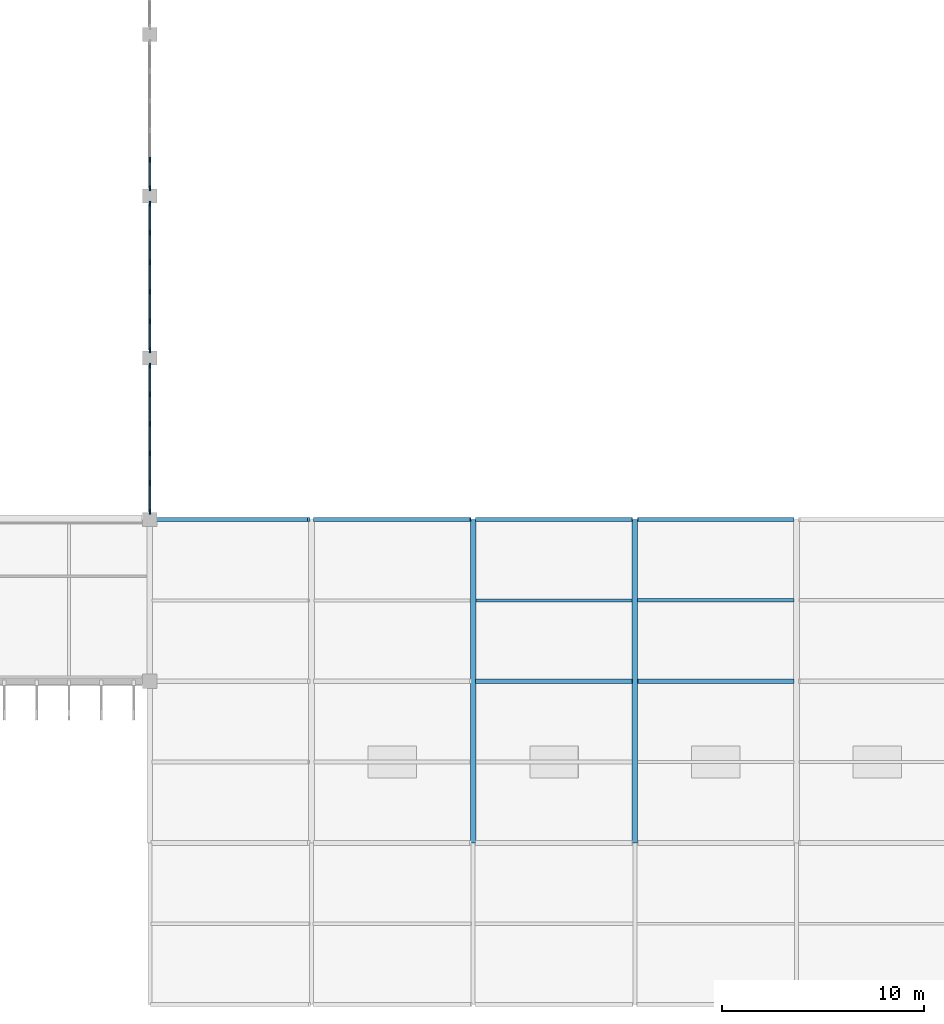
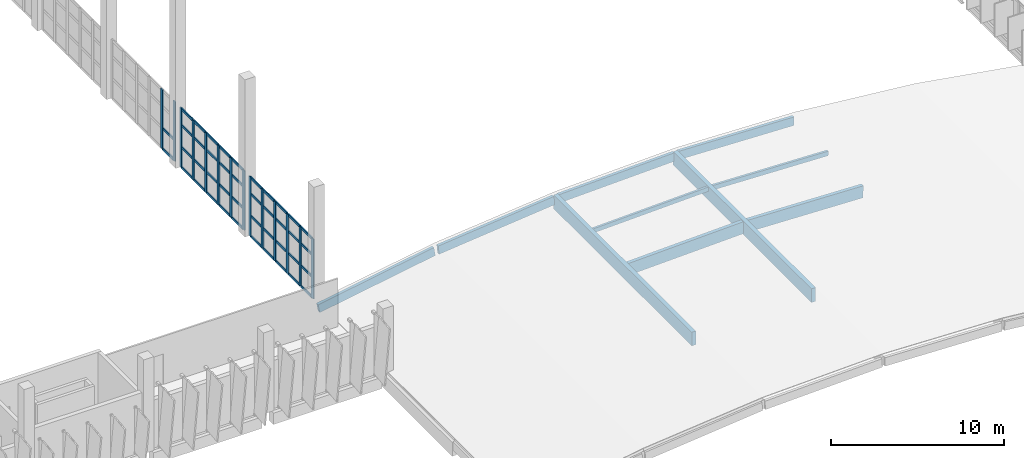
# One storey, part 13 of 66: 58 members, 8 beams, 3 elements without a shape of their own.
"""IFC4 building model written with IfcOpenShell, lengths in metres."""

from ifc_helpers import new_model, si_unit, direction, frame, origin, origin_2d, place, context, subcontext, project, spatial, rectangle, hollow_rectangle, extrude, material, layer, layer_set, material_profile, profile_set, type_object, element, aggregate, save


model = new_model("IFC4")

# Units and contexts
model_context = context("Model", 3, precision=1e-05, world=origin(), true_north=direction((0.0, 1.0)))
body_context = subcontext(model_context, "Body", "Model", "MODEL_VIEW")
ifc_project = project(units=[si_unit("LENGTHUNIT", "METRE"), si_unit("AREAUNIT", "SQUARE_METRE"), si_unit("VOLUMEUNIT", "CUBIC_METRE"), si_unit("PLANEANGLEUNIT", "RADIAN"), si_unit("MASSUNIT", "GRAM", prefix="KILO")], contexts=[model_context])

# Site, building, storey
site_placement = place(None, origin())
site = spatial("IfcSite", under=ifc_project, at=site_placement, CompositionType="ELEMENT")
building_placement = place(site_placement, origin())
building = spatial("IfcBuilding", under=site, at=building_placement, Name="Drelvana Railside Aquatics Centre", CompositionType="ELEMENT")
storey_placement = place(building_placement, frame((0.0, 0.0, 10.199951171875)))
storey = spatial("IfcBuildingStorey", under=building, at=storey_placement, Name="L02", CompositionType="ELEMENT", Elevation=10.199951171875)

# Curtain wall, members
ifc_material_1 = material(Name="Bronze-anodised aluminium curtain wall", Category="aluminium")
ifc_layer = layer(ifc_material_1, 0.219970703125, Name="Bronze-anodised aluminium curtain wall")
ifc_layer_set = layer_set([ifc_layer], Name="Bronze-anodised aluminium curtain wall")
curtain_wall_type = type_object("IfcCurtainWallType", Name="CW-Z3-HIGH", PredefinedType="NOTDEFINED", material=ifc_layer_set)
curtain_wall_1_placement = place(storey_placement, origin())
curtain_wall_1 = element("IfcCurtainWall", 1, at=curtain_wall_1_placement, inside=storey, type_object=curtain_wall_type, Name="Curtain wall CW-03-057", PredefinedType="NOTDEFINED")
ifc_material_2 = material(Name="Bronze-anodised aluminium 6063-T6", Category="aluminium")
ifc_material_profile_1 = material_profile(ifc_material_2, rectangle(XDim=0.080078125, YDim=0.25, at=origin_2d()), Name="ALU-M 80x250")
ifc_profile_set_1 = profile_set([ifc_material_profile_1], Name="Bronze-anodised aluminium 6063-T6")
member_type_1 = type_object("IfcMemberType", Name="CW-Z3-HIGH-MUL", PredefinedType="MULLION", material=ifc_profile_set_1)
member_1_placement = place(storey_placement, frame((96.0, 24.384033203125, -0.005859375), z_axis=(0.0, 0.0, 1.0), x_axis=(-1.0, 0.0, 0.0)))
member_1 = element("IfcMember", 2, at=member_1_placement, type_object=member_type_1, Name="CW-03 mullion 1", PredefinedType="MULLION", context=body_context, shape_type="SweptSolid", body=[
    extrude(rectangle(XDim=0.080078125, YDim=0.25, at=origin_2d()), origin(), (0.0, 0.0, 1.0), 4.19580078125),
])
member_2_placement = place(storey_placement, frame((96.0, 25.806396484375, -0.005859375), z_axis=(0.0, 0.0, 1.0), x_axis=(-1.0, 0.0, 0.0)))
member_2 = element("IfcMember", 3, at=member_2_placement, type_object=member_type_1, Name="CW-03 mullion 2", PredefinedType="MULLION", context=body_context, shape_type="SweptSolid", body=[
    extrude(rectangle(XDim=0.080078125, YDim=0.25, at=origin_2d()), origin(), (0.0, 0.0, 1.0), 4.19580078125),
])
member_3_placement = place(storey_placement, frame((96.0, 27.268798828125, -0.005859375), z_axis=(0.0, 0.0, 1.0), x_axis=(-1.0, 0.0, 0.0)))
member_3 = element("IfcMember", 4, at=member_3_placement, type_object=member_type_1, Name="CW-03 mullion 3", PredefinedType="MULLION", context=body_context, shape_type="SweptSolid", body=[
    extrude(rectangle(XDim=0.080078125, YDim=0.25, at=origin_2d()), origin(), (0.0, 0.0, 1.0), 4.19580078125),
])
member_4_placement = place(storey_placement, frame((96.0, 28.731201171875, -0.005859375), z_axis=(0.0, 0.0, 1.0), x_axis=(-1.0, 0.0, 0.0)))
member_4 = element("IfcMember", 5, at=member_4_placement, type_object=member_type_1, Name="CW-03 mullion 4", PredefinedType="MULLION", context=body_context, shape_type="SweptSolid", body=[
    extrude(rectangle(XDim=0.080078125, YDim=0.25, at=origin_2d()), origin(), (0.0, 0.0, 1.0), 4.19580078125),
])
member_5_placement = place(storey_placement, frame((96.0, 30.193603515625, -0.005859375), z_axis=(0.0, 0.0, 1.0), x_axis=(-1.0, 0.0, 0.0)))
member_5 = element("IfcMember", 6, at=member_5_placement, type_object=member_type_1, Name="CW-03 mullion 5", PredefinedType="MULLION", context=body_context, shape_type="SweptSolid", body=[
    extrude(rectangle(XDim=0.080078125, YDim=0.25, at=origin_2d()), origin(), (0.0, 0.0, 1.0), 4.19580078125),
])
member_6_placement = place(storey_placement, frame((96.0, 31.615966796875, -0.005859375), z_axis=(0.0, 0.0, 1.0), x_axis=(-1.0, 0.0, 0.0)))
member_6 = element("IfcMember", 7, at=member_6_placement, type_object=member_type_1, Name="CW-03 mullion 6", PredefinedType="MULLION", context=body_context, shape_type="SweptSolid", body=[
    extrude(rectangle(XDim=0.080078125, YDim=0.25, at=origin_2d()), origin(), (0.0, 0.0, 1.0), 4.19580078125),
])

curtain_wall_2_placement = place(storey_placement, origin())
curtain_wall_2 = element("IfcCurtainWall", 8, at=curtain_wall_2_placement, inside=storey, type_object=curtain_wall_type, Name="Curtain wall CW-03-061", PredefinedType="NOTDEFINED")
member_7_placement = place(storey_placement, frame((96.0, 32.384033203125, -0.005859375), z_axis=(0.0, 0.0, 1.0), x_axis=(-1.0, 0.0, 0.0)))
member_7 = element("IfcMember", 9, at=member_7_placement, type_object=member_type_1, Name="CW-03 mullion 1", PredefinedType="MULLION", context=body_context, shape_type="SweptSolid", body=[
    extrude(rectangle(XDim=0.080078125, YDim=0.25, at=origin_2d()), origin(), (0.0, 0.0, 1.0), 4.19580078125),
])
member_8_placement = place(storey_placement, frame((96.0, 33.806396484375, -0.005859375), z_axis=(0.0, 0.0, 1.0), x_axis=(-1.0, 0.0, 0.0)))
member_8 = element("IfcMember", 10, at=member_8_placement, type_object=member_type_1, Name="CW-03 mullion 2", PredefinedType="MULLION", context=body_context, shape_type="SweptSolid", body=[
    extrude(rectangle(XDim=0.080078125, YDim=0.25, at=origin_2d()), origin(), (0.0, 0.0, 1.0), 4.19580078125),
])
member_9_placement = place(storey_placement, frame((96.0, 35.268798828125, -0.005859375), z_axis=(0.0, 0.0, 1.0), x_axis=(-1.0, 0.0, 0.0)))
member_9 = element("IfcMember", 11, at=member_9_placement, type_object=member_type_1, Name="CW-03 mullion 3", PredefinedType="MULLION", context=body_context, shape_type="SweptSolid", body=[
    extrude(rectangle(XDim=0.080078125, YDim=0.25, at=origin_2d()), origin(), (0.0, 0.0, 1.0), 4.19580078125),
])
member_10_placement = place(storey_placement, frame((96.0, 36.731201171875, -0.005859375), z_axis=(0.0, 0.0, 1.0), x_axis=(-1.0, 0.0, 0.0)))
member_10 = element("IfcMember", 12, at=member_10_placement, type_object=member_type_1, Name="CW-03 mullion 4", PredefinedType="MULLION", context=body_context, shape_type="SweptSolid", body=[
    extrude(rectangle(XDim=0.080078125, YDim=0.25, at=origin_2d()), origin(), (0.0, 0.0, 1.0), 4.19580078125),
])
member_11_placement = place(storey_placement, frame((96.0, 38.193603515625, -0.005859375), z_axis=(0.0, 0.0, 1.0), x_axis=(-1.0, 0.0, 0.0)))
member_11 = element("IfcMember", 13, at=member_11_placement, type_object=member_type_1, Name="CW-03 mullion 5", PredefinedType="MULLION", context=body_context, shape_type="SweptSolid", body=[
    extrude(rectangle(XDim=0.080078125, YDim=0.25, at=origin_2d()), origin(), (0.0, 0.0, 1.0), 4.19580078125),
])
member_12_placement = place(storey_placement, frame((96.0, 39.615966796875, -0.005859375), z_axis=(0.0, 0.0, 1.0), x_axis=(-1.0, 0.0, 0.0)))
member_12 = element("IfcMember", 14, at=member_12_placement, type_object=member_type_1, Name="CW-03 mullion 6", PredefinedType="MULLION", context=body_context, shape_type="SweptSolid", body=[
    extrude(rectangle(XDim=0.080078125, YDim=0.25, at=origin_2d()), origin(), (0.0, 0.0, 1.0), 4.19580078125),
])

curtain_wall_3_placement = place(storey_placement, origin())
curtain_wall_3 = element("IfcCurtainWall", 15, at=curtain_wall_3_placement, inside=storey, type_object=curtain_wall_type, Name="Curtain wall CW-03-065", PredefinedType="NOTDEFINED")
member_13_placement = place(storey_placement, frame((96.0, 40.384033203125, -0.005859375), z_axis=(0.0, 0.0, 1.0), x_axis=(-1.0, 0.0, 0.0)))
member_13 = element("IfcMember", 16, at=member_13_placement, type_object=member_type_1, Name="CW-03 mullion 1", PredefinedType="MULLION", context=body_context, shape_type="SweptSolid", body=[
    extrude(rectangle(XDim=0.080078125, YDim=0.25, at=origin_2d()), origin(), (0.0, 0.0, 1.0), 4.19580078125),
])
member_14_placement = place(storey_placement, frame((96.0, 41.806396484375, -0.005859375), z_axis=(0.0, 0.0, 1.0), x_axis=(-1.0, 0.0, 0.0)))
member_14 = element("IfcMember", 17, at=member_14_placement, type_object=member_type_1, Name="CW-03 mullion 2", PredefinedType="MULLION", context=body_context, shape_type="SweptSolid", body=[
    extrude(rectangle(XDim=0.080078125, YDim=0.25, at=origin_2d()), origin(), (0.0, 0.0, 1.0), 4.19580078125),
])

# Member
ifc_material_profile_2 = material_profile(ifc_material_2, rectangle(XDim=0.179931640625, YDim=0.074951171875, at=origin_2d()), Name="ALU-T 75x180")
ifc_profile_set_2 = profile_set([ifc_material_profile_2], Name="Bronze-anodised aluminium 6063-T6")
member_type_2 = type_object("IfcMemberType", Name="CW-Z3-HIGH-TRN", PredefinedType="USERDEFINED", material=ifc_profile_set_2)
member_15_placement = place(storey_placement, frame((96.0, 24.4189453125, 0.031494140625), z_axis=(0.0, 1.0, 0.0), x_axis=(0.0, 0.0, 1.0)))
member_15 = element("IfcMember", 18, at=member_15_placement, type_object=member_type_2, Name="CW-03 transom 1.1", ObjectType="TRANSOM", PredefinedType="USERDEFINED", context=body_context, shape_type="SweptSolid", body=[
    extrude(rectangle(XDim=0.179931640625, YDim=0.074951171875, at=origin_2d()), origin(), (0.0, 0.0, 1.0), 1.3525390625),
])

member_16_placement = place(storey_placement, frame((96.0, 24.4189453125, 1.463134765625), z_axis=(0.0, 1.0, 0.0), x_axis=(0.0, 0.0, 1.0)))
member_16 = element("IfcMember", 19, at=member_16_placement, type_object=member_type_2, Name="CW-03 transom 1.2", ObjectType="TRANSOM", PredefinedType="USERDEFINED", context=body_context, shape_type="SweptSolid", body=[
    extrude(rectangle(XDim=0.179931640625, YDim=0.074951171875, at=origin_2d()), origin(), (0.0, 0.0, 1.0), 1.3525390625),
])

member_17_placement = place(storey_placement, frame((96.0, 24.4189453125, 3.01513671875), z_axis=(0.0, 1.0, 0.0), x_axis=(0.0, 0.0, 1.0)))
member_17 = element("IfcMember", 20, at=member_17_placement, type_object=member_type_2, Name="CW-03 transom 1.3", ObjectType="TRANSOM", PredefinedType="USERDEFINED", context=body_context, shape_type="SweptSolid", body=[
    extrude(rectangle(XDim=0.179931640625, YDim=0.074951171875, at=origin_2d()), origin(), (0.0, 0.0, 1.0), 1.3525390625),
])

member_18_placement = place(storey_placement, frame((96.0, 24.4189453125, 4.152587890625), z_axis=(0.0, 1.0, 0.0), x_axis=(0.0, 0.0, 1.0)))
member_18 = element("IfcMember", 21, at=member_18_placement, type_object=member_type_2, Name="CW-03 transom 1.4", ObjectType="TRANSOM", PredefinedType="USERDEFINED", context=body_context, shape_type="SweptSolid", body=[
    extrude(rectangle(XDim=0.179931640625, YDim=0.074951171875, at=origin_2d()), origin(), (0.0, 0.0, 1.0), 1.3525390625),
])

member_19_placement = place(storey_placement, frame((96.0, 25.84130859375, 0.031494140625), z_axis=(0.0, 1.0, 0.0), x_axis=(0.0, 0.0, 1.0)))
member_19 = element("IfcMember", 22, at=member_19_placement, type_object=member_type_2, Name="CW-03 transom 2.1", ObjectType="TRANSOM", PredefinedType="USERDEFINED", context=body_context, shape_type="SweptSolid", body=[
    extrude(rectangle(XDim=0.179931640625, YDim=0.074951171875, at=origin_2d()), origin(), (0.0, 0.0, 1.0), 1.392578125),
])

member_20_placement = place(storey_placement, frame((96.0, 25.84130859375, 1.463134765625), z_axis=(0.0, 1.0, 0.0), x_axis=(0.0, 0.0, 1.0)))
member_20 = element("IfcMember", 23, at=member_20_placement, type_object=member_type_2, Name="CW-03 transom 2.2", ObjectType="TRANSOM", PredefinedType="USERDEFINED", context=body_context, shape_type="SweptSolid", body=[
    extrude(rectangle(XDim=0.179931640625, YDim=0.074951171875, at=origin_2d()), origin(), (0.0, 0.0, 1.0), 1.392578125),
])

member_21_placement = place(storey_placement, frame((96.0, 25.84130859375, 3.01513671875), z_axis=(0.0, 1.0, 0.0), x_axis=(0.0, 0.0, 1.0)))
member_21 = element("IfcMember", 24, at=member_21_placement, type_object=member_type_2, Name="CW-03 transom 2.3", ObjectType="TRANSOM", PredefinedType="USERDEFINED", context=body_context, shape_type="SweptSolid", body=[
    extrude(rectangle(XDim=0.179931640625, YDim=0.074951171875, at=origin_2d()), origin(), (0.0, 0.0, 1.0), 1.392578125),
])

member_22_placement = place(storey_placement, frame((96.0, 25.84130859375, 4.152587890625), z_axis=(0.0, 1.0, 0.0), x_axis=(0.0, 0.0, 1.0)))
member_22 = element("IfcMember", 25, at=member_22_placement, type_object=member_type_2, Name="CW-03 transom 2.4", ObjectType="TRANSOM", PredefinedType="USERDEFINED", context=body_context, shape_type="SweptSolid", body=[
    extrude(rectangle(XDim=0.179931640625, YDim=0.074951171875, at=origin_2d()), origin(), (0.0, 0.0, 1.0), 1.392578125),
])

member_23_placement = place(storey_placement, frame((96.0, 27.3037109375, 0.031494140625), z_axis=(0.0, 1.0, 0.0), x_axis=(0.0, 0.0, 1.0)))
member_23 = element("IfcMember", 26, at=member_23_placement, type_object=member_type_2, Name="CW-03 transom 3.1", ObjectType="TRANSOM", PredefinedType="USERDEFINED", context=body_context, shape_type="SweptSolid", body=[
    extrude(rectangle(XDim=0.179931640625, YDim=0.074951171875, at=origin_2d()), origin(), (0.0, 0.0, 1.0), 1.392578125),
])

member_24_placement = place(storey_placement, frame((96.0, 27.3037109375, 1.463134765625), z_axis=(0.0, 1.0, 0.0), x_axis=(0.0, 0.0, 1.0)))
member_24 = element("IfcMember", 27, at=member_24_placement, type_object=member_type_2, Name="CW-03 transom 3.2", ObjectType="TRANSOM", PredefinedType="USERDEFINED", context=body_context, shape_type="SweptSolid", body=[
    extrude(rectangle(XDim=0.179931640625, YDim=0.074951171875, at=origin_2d()), origin(), (0.0, 0.0, 1.0), 1.392578125),
])

member_25_placement = place(storey_placement, frame((96.0, 27.3037109375, 3.01513671875), z_axis=(0.0, 1.0, 0.0), x_axis=(0.0, 0.0, 1.0)))
member_25 = element("IfcMember", 28, at=member_25_placement, type_object=member_type_2, Name="CW-03 transom 3.3", ObjectType="TRANSOM", PredefinedType="USERDEFINED", context=body_context, shape_type="SweptSolid", body=[
    extrude(rectangle(XDim=0.179931640625, YDim=0.074951171875, at=origin_2d()), origin(), (0.0, 0.0, 1.0), 1.392578125),
])

member_26_placement = place(storey_placement, frame((96.0, 27.3037109375, 4.152587890625), z_axis=(0.0, 1.0, 0.0), x_axis=(0.0, 0.0, 1.0)))
member_26 = element("IfcMember", 29, at=member_26_placement, type_object=member_type_2, Name="CW-03 transom 3.4", ObjectType="TRANSOM", PredefinedType="USERDEFINED", context=body_context, shape_type="SweptSolid", body=[
    extrude(rectangle(XDim=0.179931640625, YDim=0.074951171875, at=origin_2d()), origin(), (0.0, 0.0, 1.0), 1.392578125),
])

member_27_placement = place(storey_placement, frame((96.0, 28.76611328125, 0.031494140625), z_axis=(0.0, 1.0, 0.0), x_axis=(0.0, 0.0, 1.0)))
member_27 = element("IfcMember", 30, at=member_27_placement, type_object=member_type_2, Name="CW-03 transom 4.1", ObjectType="TRANSOM", PredefinedType="USERDEFINED", context=body_context, shape_type="SweptSolid", body=[
    extrude(rectangle(XDim=0.179931640625, YDim=0.074951171875, at=origin_2d()), origin(), (0.0, 0.0, 1.0), 1.392578125),
])

member_28_placement = place(storey_placement, frame((96.0, 28.76611328125, 1.463134765625), z_axis=(0.0, 1.0, 0.0), x_axis=(0.0, 0.0, 1.0)))
member_28 = element("IfcMember", 31, at=member_28_placement, type_object=member_type_2, Name="CW-03 transom 4.2", ObjectType="TRANSOM", PredefinedType="USERDEFINED", context=body_context, shape_type="SweptSolid", body=[
    extrude(rectangle(XDim=0.179931640625, YDim=0.074951171875, at=origin_2d()), origin(), (0.0, 0.0, 1.0), 1.392578125),
])

member_29_placement = place(storey_placement, frame((96.0, 28.76611328125, 3.01513671875), z_axis=(0.0, 1.0, 0.0), x_axis=(0.0, 0.0, 1.0)))
member_29 = element("IfcMember", 32, at=member_29_placement, type_object=member_type_2, Name="CW-03 transom 4.3", ObjectType="TRANSOM", PredefinedType="USERDEFINED", context=body_context, shape_type="SweptSolid", body=[
    extrude(rectangle(XDim=0.179931640625, YDim=0.074951171875, at=origin_2d()), origin(), (0.0, 0.0, 1.0), 1.392578125),
])

member_30_placement = place(storey_placement, frame((96.0, 28.76611328125, 4.152587890625), z_axis=(0.0, 1.0, 0.0), x_axis=(0.0, 0.0, 1.0)))
member_30 = element("IfcMember", 33, at=member_30_placement, type_object=member_type_2, Name="CW-03 transom 4.4", ObjectType="TRANSOM", PredefinedType="USERDEFINED", context=body_context, shape_type="SweptSolid", body=[
    extrude(rectangle(XDim=0.179931640625, YDim=0.074951171875, at=origin_2d()), origin(), (0.0, 0.0, 1.0), 1.392578125),
])

member_31_placement = place(storey_placement, frame((96.0, 30.228515625, 0.031494140625), z_axis=(0.0, 1.0, 0.0), x_axis=(0.0, 0.0, 1.0)))
member_31 = element("IfcMember", 34, at=member_31_placement, type_object=member_type_2, Name="CW-03 transom 5.1", ObjectType="TRANSOM", PredefinedType="USERDEFINED", context=body_context, shape_type="SweptSolid", body=[
    extrude(rectangle(XDim=0.179931640625, YDim=0.074951171875, at=origin_2d()), origin(), (0.0, 0.0, 1.0), 1.3525390625),
])

member_32_placement = place(storey_placement, frame((96.0, 30.228515625, 1.463134765625), z_axis=(0.0, 1.0, 0.0), x_axis=(0.0, 0.0, 1.0)))
member_32 = element("IfcMember", 35, at=member_32_placement, type_object=member_type_2, Name="CW-03 transom 5.2", ObjectType="TRANSOM", PredefinedType="USERDEFINED", context=body_context, shape_type="SweptSolid", body=[
    extrude(rectangle(XDim=0.179931640625, YDim=0.074951171875, at=origin_2d()), origin(), (0.0, 0.0, 1.0), 1.3525390625),
])

member_33_placement = place(storey_placement, frame((96.0, 30.228515625, 3.01513671875), z_axis=(0.0, 1.0, 0.0), x_axis=(0.0, 0.0, 1.0)))
member_33 = element("IfcMember", 36, at=member_33_placement, type_object=member_type_2, Name="CW-03 transom 5.3", ObjectType="TRANSOM", PredefinedType="USERDEFINED", context=body_context, shape_type="SweptSolid", body=[
    extrude(rectangle(XDim=0.179931640625, YDim=0.074951171875, at=origin_2d()), origin(), (0.0, 0.0, 1.0), 1.3525390625),
])

member_34_placement = place(storey_placement, frame((96.0, 30.228515625, 4.152587890625), z_axis=(0.0, 1.0, 0.0), x_axis=(0.0, 0.0, 1.0)))
member_34 = element("IfcMember", 37, at=member_34_placement, type_object=member_type_2, Name="CW-03 transom 5.4", ObjectType="TRANSOM", PredefinedType="USERDEFINED", context=body_context, shape_type="SweptSolid", body=[
    extrude(rectangle(XDim=0.179931640625, YDim=0.074951171875, at=origin_2d()), origin(), (0.0, 0.0, 1.0), 1.3525390625),
])

aggregate(curtain_wall_1, [member_1, member_2, member_3, member_4, member_5, member_6, member_15, member_16, member_17, member_18, member_19, member_20, member_21, member_22, member_23, member_24, member_25, member_26, member_27, member_28, member_29, member_30, member_31, member_32, member_33, member_34])

member_35_placement = place(storey_placement, frame((96.0, 32.4189453125, 0.031494140625), z_axis=(0.0, 1.0, 0.0), x_axis=(0.0, 0.0, 1.0)))
member_35 = element("IfcMember", 38, at=member_35_placement, type_object=member_type_2, Name="CW-03 transom 1.1", ObjectType="TRANSOM", PredefinedType="USERDEFINED", context=body_context, shape_type="SweptSolid", body=[
    extrude(rectangle(XDim=0.179931640625, YDim=0.074951171875, at=origin_2d()), origin(), (0.0, 0.0, 1.0), 1.3525390625),
])

member_36_placement = place(storey_placement, frame((96.0, 32.4189453125, 1.463134765625), z_axis=(0.0, 1.0, 0.0), x_axis=(0.0, 0.0, 1.0)))
member_36 = element("IfcMember", 39, at=member_36_placement, type_object=member_type_2, Name="CW-03 transom 1.2", ObjectType="TRANSOM", PredefinedType="USERDEFINED", context=body_context, shape_type="SweptSolid", body=[
    extrude(rectangle(XDim=0.179931640625, YDim=0.074951171875, at=origin_2d()), origin(), (0.0, 0.0, 1.0), 1.3525390625),
])

member_37_placement = place(storey_placement, frame((96.0, 32.4189453125, 3.01513671875), z_axis=(0.0, 1.0, 0.0), x_axis=(0.0, 0.0, 1.0)))
member_37 = element("IfcMember", 40, at=member_37_placement, type_object=member_type_2, Name="CW-03 transom 1.3", ObjectType="TRANSOM", PredefinedType="USERDEFINED", context=body_context, shape_type="SweptSolid", body=[
    extrude(rectangle(XDim=0.179931640625, YDim=0.074951171875, at=origin_2d()), origin(), (0.0, 0.0, 1.0), 1.3525390625),
])

member_38_placement = place(storey_placement, frame((96.0, 32.4189453125, 4.152587890625), z_axis=(0.0, 1.0, 0.0), x_axis=(0.0, 0.0, 1.0)))
member_38 = element("IfcMember", 41, at=member_38_placement, type_object=member_type_2, Name="CW-03 transom 1.4", ObjectType="TRANSOM", PredefinedType="USERDEFINED", context=body_context, shape_type="SweptSolid", body=[
    extrude(rectangle(XDim=0.179931640625, YDim=0.074951171875, at=origin_2d()), origin(), (0.0, 0.0, 1.0), 1.3525390625),
])

member_39_placement = place(storey_placement, frame((96.0, 33.84130859375, 0.031494140625), z_axis=(0.0, 1.0, 0.0), x_axis=(0.0, 0.0, 1.0)))
member_39 = element("IfcMember", 42, at=member_39_placement, type_object=member_type_2, Name="CW-03 transom 2.1", ObjectType="TRANSOM", PredefinedType="USERDEFINED", context=body_context, shape_type="SweptSolid", body=[
    extrude(rectangle(XDim=0.179931640625, YDim=0.074951171875, at=origin_2d()), origin(), (0.0, 0.0, 1.0), 1.392578125),
])

member_40_placement = place(storey_placement, frame((96.0, 33.84130859375, 1.463134765625), z_axis=(0.0, 1.0, 0.0), x_axis=(0.0, 0.0, 1.0)))
member_40 = element("IfcMember", 43, at=member_40_placement, type_object=member_type_2, Name="CW-03 transom 2.2", ObjectType="TRANSOM", PredefinedType="USERDEFINED", context=body_context, shape_type="SweptSolid", body=[
    extrude(rectangle(XDim=0.179931640625, YDim=0.074951171875, at=origin_2d()), origin(), (0.0, 0.0, 1.0), 1.392578125),
])

member_41_placement = place(storey_placement, frame((96.0, 33.84130859375, 3.01513671875), z_axis=(0.0, 1.0, 0.0), x_axis=(0.0, 0.0, 1.0)))
member_41 = element("IfcMember", 44, at=member_41_placement, type_object=member_type_2, Name="CW-03 transom 2.3", ObjectType="TRANSOM", PredefinedType="USERDEFINED", context=body_context, shape_type="SweptSolid", body=[
    extrude(rectangle(XDim=0.179931640625, YDim=0.074951171875, at=origin_2d()), origin(), (0.0, 0.0, 1.0), 1.392578125),
])

member_42_placement = place(storey_placement, frame((96.0, 33.84130859375, 4.152587890625), z_axis=(0.0, 1.0, 0.0), x_axis=(0.0, 0.0, 1.0)))
member_42 = element("IfcMember", 45, at=member_42_placement, type_object=member_type_2, Name="CW-03 transom 2.4", ObjectType="TRANSOM", PredefinedType="USERDEFINED", context=body_context, shape_type="SweptSolid", body=[
    extrude(rectangle(XDim=0.179931640625, YDim=0.074951171875, at=origin_2d()), origin(), (0.0, 0.0, 1.0), 1.392578125),
])

member_43_placement = place(storey_placement, frame((96.0, 35.3037109375, 0.031494140625), z_axis=(0.0, 1.0, 0.0), x_axis=(0.0, 0.0, 1.0)))
member_43 = element("IfcMember", 46, at=member_43_placement, type_object=member_type_2, Name="CW-03 transom 3.1", ObjectType="TRANSOM", PredefinedType="USERDEFINED", context=body_context, shape_type="SweptSolid", body=[
    extrude(rectangle(XDim=0.179931640625, YDim=0.074951171875, at=origin_2d()), origin(), (0.0, 0.0, 1.0), 1.392578125),
])

member_44_placement = place(storey_placement, frame((96.0, 35.3037109375, 1.463134765625), z_axis=(0.0, 1.0, 0.0), x_axis=(0.0, 0.0, 1.0)))
member_44 = element("IfcMember", 47, at=member_44_placement, type_object=member_type_2, Name="CW-03 transom 3.2", ObjectType="TRANSOM", PredefinedType="USERDEFINED", context=body_context, shape_type="SweptSolid", body=[
    extrude(rectangle(XDim=0.179931640625, YDim=0.074951171875, at=origin_2d()), origin(), (0.0, 0.0, 1.0), 1.392578125),
])

member_45_placement = place(storey_placement, frame((96.0, 35.3037109375, 3.01513671875), z_axis=(0.0, 1.0, 0.0), x_axis=(0.0, 0.0, 1.0)))
member_45 = element("IfcMember", 48, at=member_45_placement, type_object=member_type_2, Name="CW-03 transom 3.3", ObjectType="TRANSOM", PredefinedType="USERDEFINED", context=body_context, shape_type="SweptSolid", body=[
    extrude(rectangle(XDim=0.179931640625, YDim=0.074951171875, at=origin_2d()), origin(), (0.0, 0.0, 1.0), 1.392578125),
])

member_46_placement = place(storey_placement, frame((96.0, 35.3037109375, 4.152587890625), z_axis=(0.0, 1.0, 0.0), x_axis=(0.0, 0.0, 1.0)))
member_46 = element("IfcMember", 49, at=member_46_placement, type_object=member_type_2, Name="CW-03 transom 3.4", ObjectType="TRANSOM", PredefinedType="USERDEFINED", context=body_context, shape_type="SweptSolid", body=[
    extrude(rectangle(XDim=0.179931640625, YDim=0.074951171875, at=origin_2d()), origin(), (0.0, 0.0, 1.0), 1.392578125),
])

member_47_placement = place(storey_placement, frame((96.0, 36.76611328125, 0.031494140625), z_axis=(0.0, 1.0, 0.0), x_axis=(0.0, 0.0, 1.0)))
member_47 = element("IfcMember", 50, at=member_47_placement, type_object=member_type_2, Name="CW-03 transom 4.1", ObjectType="TRANSOM", PredefinedType="USERDEFINED", context=body_context, shape_type="SweptSolid", body=[
    extrude(rectangle(XDim=0.179931640625, YDim=0.074951171875, at=origin_2d()), origin(), (0.0, 0.0, 1.0), 1.392578125),
])

member_48_placement = place(storey_placement, frame((96.0, 36.76611328125, 1.463134765625), z_axis=(0.0, 1.0, 0.0), x_axis=(0.0, 0.0, 1.0)))
member_48 = element("IfcMember", 51, at=member_48_placement, type_object=member_type_2, Name="CW-03 transom 4.2", ObjectType="TRANSOM", PredefinedType="USERDEFINED", context=body_context, shape_type="SweptSolid", body=[
    extrude(rectangle(XDim=0.179931640625, YDim=0.074951171875, at=origin_2d()), origin(), (0.0, 0.0, 1.0), 1.392578125),
])

member_49_placement = place(storey_placement, frame((96.0, 36.76611328125, 3.01513671875), z_axis=(0.0, 1.0, 0.0), x_axis=(0.0, 0.0, 1.0)))
member_49 = element("IfcMember", 52, at=member_49_placement, type_object=member_type_2, Name="CW-03 transom 4.3", ObjectType="TRANSOM", PredefinedType="USERDEFINED", context=body_context, shape_type="SweptSolid", body=[
    extrude(rectangle(XDim=0.179931640625, YDim=0.074951171875, at=origin_2d()), origin(), (0.0, 0.0, 1.0), 1.392578125),
])

member_50_placement = place(storey_placement, frame((96.0, 36.76611328125, 4.152587890625), z_axis=(0.0, 1.0, 0.0), x_axis=(0.0, 0.0, 1.0)))
member_50 = element("IfcMember", 53, at=member_50_placement, type_object=member_type_2, Name="CW-03 transom 4.4", ObjectType="TRANSOM", PredefinedType="USERDEFINED", context=body_context, shape_type="SweptSolid", body=[
    extrude(rectangle(XDim=0.179931640625, YDim=0.074951171875, at=origin_2d()), origin(), (0.0, 0.0, 1.0), 1.392578125),
])

member_51_placement = place(storey_placement, frame((96.0, 38.228515625, 0.031494140625), z_axis=(0.0, 1.0, 0.0), x_axis=(0.0, 0.0, 1.0)))
member_51 = element("IfcMember", 54, at=member_51_placement, type_object=member_type_2, Name="CW-03 transom 5.1", ObjectType="TRANSOM", PredefinedType="USERDEFINED", context=body_context, shape_type="SweptSolid", body=[
    extrude(rectangle(XDim=0.179931640625, YDim=0.074951171875, at=origin_2d()), origin(), (0.0, 0.0, 1.0), 1.3525390625),
])

member_52_placement = place(storey_placement, frame((96.0, 38.228515625, 1.463134765625), z_axis=(0.0, 1.0, 0.0), x_axis=(0.0, 0.0, 1.0)))
member_52 = element("IfcMember", 55, at=member_52_placement, type_object=member_type_2, Name="CW-03 transom 5.2", ObjectType="TRANSOM", PredefinedType="USERDEFINED", context=body_context, shape_type="SweptSolid", body=[
    extrude(rectangle(XDim=0.179931640625, YDim=0.074951171875, at=origin_2d()), origin(), (0.0, 0.0, 1.0), 1.3525390625),
])

member_53_placement = place(storey_placement, frame((96.0, 38.228515625, 3.01513671875), z_axis=(0.0, 1.0, 0.0), x_axis=(0.0, 0.0, 1.0)))
member_53 = element("IfcMember", 56, at=member_53_placement, type_object=member_type_2, Name="CW-03 transom 5.3", ObjectType="TRANSOM", PredefinedType="USERDEFINED", context=body_context, shape_type="SweptSolid", body=[
    extrude(rectangle(XDim=0.179931640625, YDim=0.074951171875, at=origin_2d()), origin(), (0.0, 0.0, 1.0), 1.3525390625),
])

member_54_placement = place(storey_placement, frame((96.0, 38.228515625, 4.152587890625), z_axis=(0.0, 1.0, 0.0), x_axis=(0.0, 0.0, 1.0)))
member_54 = element("IfcMember", 57, at=member_54_placement, type_object=member_type_2, Name="CW-03 transom 5.4", ObjectType="TRANSOM", PredefinedType="USERDEFINED", context=body_context, shape_type="SweptSolid", body=[
    extrude(rectangle(XDim=0.179931640625, YDim=0.074951171875, at=origin_2d()), origin(), (0.0, 0.0, 1.0), 1.3525390625),
])

aggregate(curtain_wall_2, [member_7, member_8, member_9, member_10, member_11, member_12, member_35, member_36, member_37, member_38, member_39, member_40, member_41, member_42, member_43, member_44, member_45, member_46, member_47, member_48, member_49, member_50, member_51, member_52, member_53, member_54])

member_55_placement = place(storey_placement, frame((96.0, 40.4189453125, 0.031494140625), z_axis=(0.0, 1.0, 0.0), x_axis=(0.0, 0.0, 1.0)))
member_55 = element("IfcMember", 58, at=member_55_placement, type_object=member_type_2, Name="CW-03 transom 1.1", ObjectType="TRANSOM", PredefinedType="USERDEFINED", context=body_context, shape_type="SweptSolid", body=[
    extrude(rectangle(XDim=0.179931640625, YDim=0.074951171875, at=origin_2d()), origin(), (0.0, 0.0, 1.0), 1.3525390625),
])

member_56_placement = place(storey_placement, frame((96.0, 40.4189453125, 1.463134765625), z_axis=(0.0, 1.0, 0.0), x_axis=(0.0, 0.0, 1.0)))
member_56 = element("IfcMember", 59, at=member_56_placement, type_object=member_type_2, Name="CW-03 transom 1.2", ObjectType="TRANSOM", PredefinedType="USERDEFINED", context=body_context, shape_type="SweptSolid", body=[
    extrude(rectangle(XDim=0.179931640625, YDim=0.074951171875, at=origin_2d()), origin(), (0.0, 0.0, 1.0), 1.3525390625),
])

aggregate(curtain_wall_3, [member_13, member_14, member_55, member_56])

# Beams
ifc_material_3 = material(Name="Glulam timber GL28h", Category="wood")
ifc_material_profile_3 = material_profile(ifc_material_3, rectangle(XDim=0.199951171875, YDim=0.60009765625, at=origin_2d()), Name="GL28h 200x600")
ifc_profile_set_3 = profile_set([ifc_material_profile_3], Name="Glulam timber GL28h")
beam_type_1 = type_object("IfcBeamType", Name="STR-GLB-GA-00", PredefinedType="BEAM", material=ifc_profile_set_3)
beam_1_placement = place(storey_placement, frame((96.135009765625, 24.0, -0.52490234375), z_axis=(0.985449511524, 0.0, 0.169968409527), x_axis=(0.0, 1.0, 0.0)))
element("IfcBeam", 60, at=beam_1_placement, inside=storey, type_object=beam_type_1, Name="Entrance Foyer vault arch Y24.1", PredefinedType="BEAM", context=body_context, shape_type="SweptSolid", body=[
    extrude(rectangle(XDim=0.199951171875, YDim=0.60009765625, at=origin_2d()), origin(), (0.0, 0.0, 1.0), 7.843994140625),
])
beam_2_placement = place(storey_placement, frame((104.135009765625, 24.0, 0.808349609375), z_axis=(0.994686581227, 0.0, 0.102949527089), x_axis=(0.0, 1.0, 0.0)))
element("IfcBeam", 61, at=beam_2_placement, inside=storey, type_object=beam_type_1, Name="Entrance Foyer vault arch Y24.2", PredefinedType="BEAM", context=body_context, shape_type="SweptSolid", body=[
    extrude(rectangle(XDim=0.199951171875, YDim=0.60009765625, at=origin_2d()), origin(), (0.0, 0.0, 1.0), 7.771240234375),
])
for number, where, z_axis, x_axis, name in (
    (62, (112.135009765625, 24.0, 1.6083984375), (0.999405774405, 0.0, 0.034468798738), (0.0, 1.0, 0.0), "Entrance Foyer vault arch Y24.3"),
    (63, (120.135009765625, 24.0, 1.875), (0.999405774405, 0.0, -0.034468798738), (0.0, 1.0, 0.0), "Entrance Foyer vault arch Y24.4"),
):
    element("IfcBeam", number, at=place(storey_placement, frame(where, z_axis=z_axis, x_axis=x_axis)), inside=storey, type_object=beam_type_1, Name=name, PredefinedType="BEAM", context=body_context, shape_type="SweptSolid", body=[
        extrude(rectangle(XDim=0.199951171875, YDim=0.60009765625, at=origin_2d()), origin(), (0.0, 0.0, 1.0), 7.734619140625),
    ])
ifc_material_profile_4 = material_profile(ifc_material_3, rectangle(XDim=0.239990234375, YDim=0.840087890625, at=origin_2d()), Name="GL28h 240x840")
ifc_profile_set_4 = profile_set([ifc_material_profile_4], Name="Glulam timber GL28h")
beam_type_2 = type_object("IfcBeamType", Name="STR-GLB-GA-02", PredefinedType="BEAM", material=ifc_profile_set_4)
for number, where, z_axis, x_axis, name in (
    (64, (112.135009765625, 16.0, 1.48828125), (0.999404686553, 0.0, 0.034500326019), (0.0, 1.0, 0.0), "Entrance Foyer vault arch Y16.3"),
    (65, (120.135009765625, 16.0, 1.755126953125), (0.999404686553, 0.0, -0.034500326019), (0.0, 1.0, 0.0), "Entrance Foyer vault arch Y16.4"),
):
    element("IfcBeam", number, at=place(storey_placement, frame(where, z_axis=z_axis, x_axis=x_axis)), inside=storey, type_object=beam_type_2, Name=name, PredefinedType="BEAM", context=body_context, shape_type="SweptSolid", body=[
        extrude(rectangle(XDim=0.239990234375, YDim=0.840087890625, at=origin_2d()), origin(), (0.0, 0.0, 1.0), 7.734619140625),
    ])
ifc_material_profile_5 = material_profile(ifc_material_3, rectangle(XDim=0.280029296875, YDim=0.9599609375, at=origin_2d()), Name="GL28h 280x960")
ifc_profile_set_5 = profile_set([ifc_material_profile_5], Name="Glulam timber GL28h")
beam_type_3 = type_object("IfcBeamType", Name="STR-GLB-GA-03", PredefinedType="BEAM", material=ifc_profile_set_5)
for number, where, z_axis, x_axis, name in (
    (66, (112.0, 8.0, 1.46337890625), (0.0, 1.0, 0.0), (-1.0, 0.0, 0.0), "Entrance Foyer vault portal beam X112-N"),
    (67, (120.0, 8.0, 1.72998046875), (0.0, 1.0, 0.0), (-1.0, 0.0, 0.0), "Entrance Foyer vault portal beam X120-N"),
):
    element("IfcBeam", number, at=place(storey_placement, frame(where, z_axis=z_axis, x_axis=x_axis)), inside=storey, type_object=beam_type_3, Name=name, PredefinedType="BEAM", context=body_context, shape_type="SweptSolid", body=[
        extrude(rectangle(XDim=0.280029296875, YDim=0.9599609375, at=origin_2d()), origin(), (0.0, 0.0, 1.0), 16.0),
    ])

# Members
ifc_material_profile_6 = material_profile(ifc_material_3, rectangle(XDim=0.159912109375, YDim=0.320068359375, at=origin_2d()), Name="GL28h 160x320")
ifc_profile_set_6 = profile_set([ifc_material_profile_6], Name="Glulam timber GL28h")
member_type_3 = type_object("IfcMemberType", Name="STR-GLM-GR-01", PredefinedType="RAFTER", material=ifc_profile_set_6)
member_57_placement = place(storey_placement, frame((120.135009765625, 20.0, 2.01513671875), z_axis=(0.999404686553, 0.0, -0.034500326019), x_axis=(0.0, 1.0, 0.0)))
element("IfcMember", 68, at=member_57_placement, inside=storey, type_object=member_type_3, Name="Entrance Foyer vault purlin Y20.4", PredefinedType="RAFTER", context=body_context, shape_type="SweptSolid", body=[
    extrude(rectangle(XDim=0.159912109375, YDim=0.320068359375, at=origin_2d()), origin(), (0.0, 0.0, 1.0), 7.734619140625),
])
ifc_material_4 = material(Name="Structural steel S355", Category="steel")
ifc_material_profile_7 = material_profile(ifc_material_4, hollow_rectangle(XDim=0.14990234375, YDim=0.300048828125, WallThickness=0.011962890625, at=origin_2d()), Name="RHS 300x150x12")
ifc_profile_set_7 = profile_set([ifc_material_profile_7], Name="Structural steel S355")
member_type_4 = type_object("IfcMemberType", Name="STR-MBR-MR-01", PredefinedType="RAFTER", material=ifc_profile_set_7)
member_58_placement = place(storey_placement, frame((112.135009765625, 20.0, 1.75830078125), z_axis=(0.999404686553, 0.0, 0.034500326019), x_axis=(0.0, 1.0, 0.0)))
element("IfcMember", 69, at=member_58_placement, inside=storey, type_object=member_type_4, Name="Entrance Foyer vault purlin Y20.3", PredefinedType="RAFTER", context=body_context, shape_type="SweptSolid", body=[
    extrude(hollow_rectangle(XDim=0.14990234375, YDim=0.300048828125, WallThickness=0.011962890625, at=origin_2d()), origin(), (0.0, 0.0, 1.0), 7.734619140625),
])

save(model, "model.ifc")
